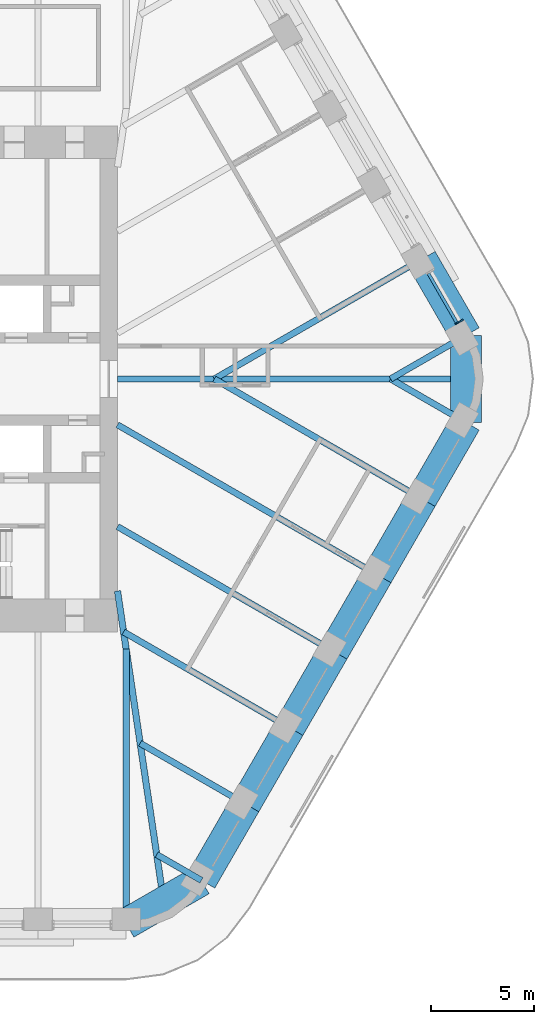
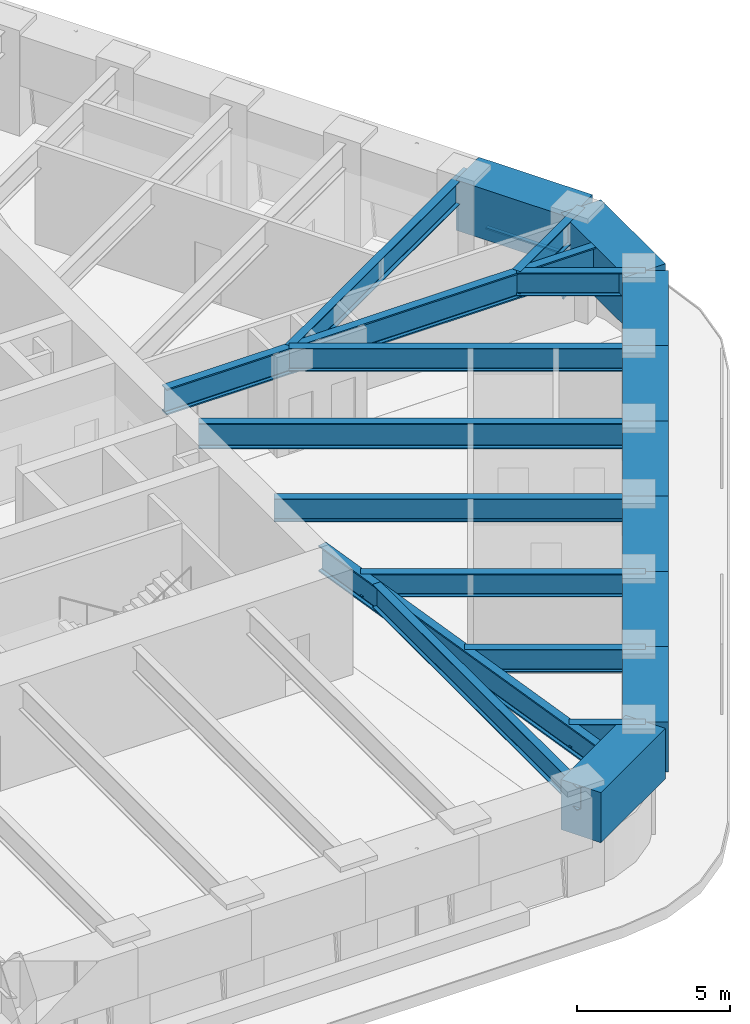
# One storey, part 5 of 18: 21 beams, 2 members, 1 element without a shape of its own.
"""IFC4 building model written with IfcOpenShell, lengths in metres."""

from ifc_helpers import new_model, si_unit, direction, frame, origin, origin_2d, place, context, subcontext, project, spatial, rectangle, i_section, extrude, material, material_profile, profile_set, type_object, element, aggregate, save


model = new_model("IFC4")

# Units and contexts
model_context = context("Model", 3, precision=1e-05, world=origin(), true_north=direction((0.0, 1.0)))
body_context = subcontext(model_context, "Body", "Model", "MODEL_VIEW")
ifc_project = project(units=[si_unit("LENGTHUNIT", "METRE"), si_unit("AREAUNIT", "SQUARE_METRE"), si_unit("VOLUMEUNIT", "CUBIC_METRE"), si_unit("PLANEANGLEUNIT", "RADIAN"), si_unit("MASSUNIT", "GRAM", prefix="KILO")], contexts=[model_context])

# Site, building, storey
site_placement = place(None, origin())
site = spatial("IfcSite", under=ifc_project, at=site_placement, CompositionType="ELEMENT")
building_placement = place(site_placement, origin())
building = spatial("IfcBuilding", under=site, at=building_placement, Name="Tarfa Lantern Tower", CompositionType="ELEMENT")
storey_placement = place(building_placement, frame((0.0, 0.0, 324.10009765625)))
storey = spatial("IfcBuildingStorey", under=building, at=storey_placement, Name="L73", CompositionType="ELEMENT", Elevation=324.10009765625)

# Curtain wall, members
ifc_material_1 = material(Name="Aluminium framed curtain wall", Category="aluminium")
curtain_wall_type = type_object("IfcCurtainWallType", Name="CW4 CANTED GLAZING EXECUTIVE ZONE 2000", PredefinedType="USERDEFINED", material=ifc_material_1)
curtain_wall_placement = place(storey_placement, origin())
curtain_wall = element("IfcCurtainWall", 1, at=curtain_wall_placement, inside=storey, type_object=curtain_wall_type, Name="CW4 NE L73", ObjectType="CURTAIN WALL", PredefinedType="USERDEFINED")
ifc_material_2 = material(Name="Aluminium mullion", Category="aluminium")
ifc_material_profile_1 = material_profile(ifc_material_2, rectangle(XDim=0.06494140625, YDim=0.199951171875, at=origin_2d()), Name="AL MULLION 65x200")
ifc_profile_set_1 = profile_set([ifc_material_profile_1], Name="Aluminium mullion")
member_type_1 = type_object("IfcMemberType", Name="CWM1 MULLION 65x200", PredefinedType="MULLION", material=ifc_profile_set_1)
member_1_placement = place(storey_placement, frame((29.13623046875, 2.83447265625, 0.0), z_axis=(-0.107320246625, -0.062018020623, 0.992288329964), x_axis=(0.500342721131, -0.865827443207, 0.0)))
member_1 = element("IfcMember", 2, at=member_1_placement, type_object=member_type_1, Name="CW4 mullion 1", PredefinedType="MULLION", context=body_context, shape_type="SweptSolid", body=[
    extrude(rectangle(XDim=0.06494140625, YDim=0.199951171875, at=origin_2d()), origin(), (0.0, 0.0, 1.0), 2.015625),
])
ifc_material_3 = material(Name="Aluminium transom", Category="aluminium")
ifc_material_profile_2 = material_profile(ifc_material_3, rectangle(XDim=0.14990234375, YDim=0.06494140625, at=origin_2d()), Name="AL TRANSOM 150x65")
ifc_profile_set_2 = profile_set([ifc_material_profile_2], Name="Aluminium transom")
member_type_2 = type_object("IfcMemberType", Name="CWT1 TRANSOM 150x65", PredefinedType="USERDEFINED", material=ifc_profile_set_2)
member_2_placement = place(storey_placement, frame((28.9072265625, 2.739501953125, 1.96728515625), z_axis=(-0.500060322201, 0.865990573944, 0.0), x_axis=(-0.865990573944, -0.500060322201, 0.0)))
member_2 = element("IfcMember", 3, at=member_2_placement, type_object=member_type_2, Name="CW4 transom 1.2", ObjectType="TRANSOM", PredefinedType="USERDEFINED", context=body_context, shape_type="SweptSolid", body=[
    extrude(rectangle(XDim=0.14990234375, YDim=0.06494140625, at=origin_2d()), origin(), (0.0, 0.0, 1.0), 2.752197265625),
])
aggregate(curtain_wall, [member_1, member_2])

# Beams
ifc_material_4 = material(Name="Concrete C80/95", Category="concrete")
ifc_material_profile_3 = material_profile(ifc_material_4, rectangle(XDim=1.5, YDim=2.0, at=origin_2d()), Name="RC 1500x2000")
ifc_profile_set_3 = profile_set([ifc_material_profile_3], Name="Concrete C80/95")
beam_type_1 = type_object("IfcBeamType", Name="RB3 RC 1500x2000", PredefinedType="BEAM", material=ifc_profile_set_3)
beam_1_placement = place(storey_placement, frame((29.3466796875, 2.110107421875, 3.0), z_axis=(-0.499984039138, 0.866034618596, 0.0), x_axis=(-0.866034618596, -0.499984039138, 0.0)))
element("IfcBeam", 4, at=beam_1_placement, inside=storey, type_object=beam_type_1, Name="Edge beam NE0", PredefinedType="BEAM", context=body_context, shape_type="SweptSolid", body=[
    extrude(rectangle(XDim=1.5, YDim=2.0, at=origin_2d()), origin(), (0.0, 0.0, 1.0), 4.281982421875),
])
beam_2_placement = place(storey_placement, frame((12.845947265625, -26.469970703125, 3.0), z_axis=(0.866048788483, 0.499959494327, 0.0), x_axis=(-0.499959494327, 0.866048788483, 0.0)))
element("IfcBeam", 5, at=beam_2_placement, inside=storey, type_object=beam_type_1, Name="Edge beam S6", PredefinedType="BEAM", context=body_context, shape_type="SweptSolid", body=[
    extrude(rectangle(XDim=1.5, YDim=2.0, at=origin_2d()), origin(), (0.0, 0.0, 1.0), 4.219970703125),
])
for number, where, z_axis, x_axis, name in (
    (6, (16.500732421875, -24.360107421875, 3.0), (0.499959351497, 0.866048870937, 0.0), (-0.866048870937, 0.499959351497, 0.0), "Edge beam SE0"),
    (7, (18.6416015625, -20.651611328125, 3.0), (0.500026801138, 0.866009929587, 0.0), (-0.866009929587, 0.500026801138, 0.0), "Edge beam SE1"),
    (8, (20.78271484375, -16.943359375, 3.0), (0.499984039138, 0.866034618596, 0.0), (-0.866034618596, 0.499984039138, 0.0), "Edge beam SE2"),
):
    element("IfcBeam", number, at=place(storey_placement, frame(where, z_axis=z_axis, x_axis=x_axis)), inside=storey, type_object=beam_type_1, Name=name, PredefinedType="BEAM", context=body_context, shape_type="SweptSolid", body=[
        extrude(rectangle(XDim=1.5, YDim=2.0, at=origin_2d()), origin(), (0.0, 0.0, 1.0), 4.281982421875),
    ])
beam_3_placement = place(storey_placement, frame((22.923583984375, -13.235107421875, 3.0), z_axis=(0.500002112793, 0.866024183959, 0.0), x_axis=(-0.866024183959, 0.500002112793, 0.0)))
element("IfcBeam", 9, at=beam_3_placement, inside=storey, type_object=beam_type_1, Name="Edge beam SE3", PredefinedType="BEAM", context=body_context, shape_type="SweptSolid", body=[
    extrude(rectangle(XDim=1.5, YDim=2.0, at=origin_2d()), origin(), (0.0, 0.0, 1.0), 4.2822265625),
])
for number, where, z_axis, x_axis, name in (
    (10, (25.064697265625, -9.526611328125, 3.0), (0.500026801138, 0.866009929587, 0.0), (-0.866009929587, 0.500026801138, 0.0), "Edge beam SE4"),
    (11, (27.205810546875, -5.818359375, 3.0), (0.499984039138, 0.866034618596, 0.0), (-0.866034618596, 0.499984039138, 0.0), "Edge beam SE5"),
):
    element("IfcBeam", number, at=place(storey_placement, frame(where, z_axis=z_axis, x_axis=x_axis)), inside=storey, type_object=beam_type_1, Name=name, PredefinedType="BEAM", context=body_context, shape_type="SweptSolid", body=[
        extrude(rectangle(XDim=1.5, YDim=2.0, at=origin_2d()), origin(), (0.0, 0.0, 1.0), 4.281982421875),
    ])
beam_4_placement = place(storey_placement, frame((29.3466796875, -2.110107421875, 3.0), z_axis=(0.0, 1.0, 0.0), x_axis=(-1.0, 0.0, 0.0)))
element("IfcBeam", 12, at=beam_4_placement, inside=storey, type_object=beam_type_1, Name="Edge beam SE6", PredefinedType="BEAM", context=body_context, shape_type="SweptSolid", body=[
    extrude(rectangle(XDim=1.5, YDim=2.0, at=origin_2d()), origin(), (0.0, 0.0, 1.0), 4.22021484375),
])
ifc_material_5 = material(Name="Steel S460M", Category="steel")
ifc_material_profile_4 = material_profile(ifc_material_5, i_section(OverallWidth=0.302001953125, OverallDepth=1.008056640625, WebThickness=0.02099609375, FlangeThickness=0.0400390625, FilletRadius=0.030029296875, at=origin_2d()), Name="UB1016x305x349")
ifc_profile_set_4 = profile_set([ifc_material_profile_4], Name="Steel S460M")
beam_type_2 = type_object("IfcBeamType", Name="UB1016x305x349", PredefinedType="BEAM", material=ifc_profile_set_4)
beam_5_placement = place(storey_placement, frame((25.064697265625, -9.526611328125, 3.495849609375), z_axis=(-0.866029591389, 0.499992746786, 0.0), x_axis=(-0.499992746786, -0.866029591389, 0.0)))
element("IfcBeam", 13, at=beam_5_placement, inside=storey, type_object=beam_type_2, Name="Floor beam SE4", PredefinedType="BEAM", context=body_context, shape_type="SweptSolid", body=[
    extrude(i_section(OverallWidth=0.302001953125, OverallDepth=1.008056640625, WebThickness=0.02099609375, FlangeThickness=0.0400390625, FilletRadius=0.030029296875, at=origin_2d()), origin(), (0.0, 0.0, 1.0), 14.594970703125),
])
ifc_material_profile_5 = material_profile(ifc_material_5, i_section(OverallWidth=0.30859375, OverallDepth=1.036376953125, WebThickness=0.030029296875, FlangeThickness=0.05419921875, FilletRadius=0.030029296875, at=origin_2d()), Name="UB1016x305x487")
ifc_profile_set_5 = profile_set([ifc_material_profile_5], Name="Steel S460M")
beam_type_3 = type_object("IfcBeamType", Name="UB1016x305x487", PredefinedType="BEAM", material=ifc_profile_set_5)
beam_6_placement = place(storey_placement, frame((12.425048828125, 0.0, 3.481689453125), z_axis=(1.0, 0.0, 0.0), x_axis=(0.0, 1.0, 0.0)))
element("IfcBeam", 14, at=beam_6_placement, inside=storey, type_object=beam_type_3, Name="Hip girder E", PredefinedType="BEAM", context=body_context, shape_type="SweptSolid", body=[
    extrude(i_section(OverallWidth=0.30859375, OverallDepth=1.036376953125, WebThickness=0.030029296875, FlangeThickness=0.05419921875, FilletRadius=0.030029296875, at=origin_2d()), origin(), (0.0, 0.0, 1.0), 16.921630859375),
])
beam_7_placement = place(storey_placement, frame((12.425048828125, -10.300048828125, 3.481689453125), z_axis=(0.147127069073, -0.989117599452, 0.0), x_axis=(0.989117599452, 0.147127069073, 0.0)))
element("IfcBeam", 15, at=beam_7_placement, inside=storey, type_object=beam_type_3, Name="Hip girder SE", PredefinedType="BEAM", context=body_context, shape_type="SweptSolid", body=[
    extrude(i_section(OverallWidth=0.30859375, OverallDepth=1.036376953125, WebThickness=0.030029296875, FlangeThickness=0.05419921875, FilletRadius=0.030029296875, at=origin_2d()), origin(), (0.0, 0.0, 1.0), 15.28125),
])
ifc_material_profile_6 = material_profile(ifc_material_5, i_section(OverallWidth=0.305419921875, OverallDepth=0.91845703125, WebThickness=0.017333984375, FlangeThickness=0.02783203125, FilletRadius=0.01904296875, at=origin_2d()), Name="UB914x305x253")
ifc_profile_set_6 = profile_set([ifc_material_profile_6], Name="Steel S460M")
beam_type_4 = type_object("IfcBeamType", Name="UB914x305x253", PredefinedType="BEAM", material=ifc_profile_set_6)
beam_8_placement = place(storey_placement, frame((29.3466796875, 2.110107421875, 3.540771484375), z_axis=(-0.866009274789, -0.500027935199, 0.0), x_axis=(0.500027935199, -0.866009274789, 0.0)))
element("IfcBeam", 16, at=beam_8_placement, inside=storey, type_object=beam_type_4, Name="Floor beam NE0", PredefinedType="BEAM", context=body_context, shape_type="SweptSolid", body=[
    extrude(i_section(OverallWidth=0.305419921875, OverallDepth=0.91845703125, WebThickness=0.017333984375, FlangeThickness=0.02783203125, FilletRadius=0.01904296875, at=origin_2d()), origin(), (0.0, 0.0, 1.0), 4.219970703125),
])
beam_9_placement = place(storey_placement, frame((27.205810546875, 5.818359375, 3.540771484375), z_axis=(-0.866024171998, -0.500002133511, 0.0), x_axis=(0.500002133511, -0.866024171998, 0.0)))
element("IfcBeam", 17, at=beam_9_placement, inside=storey, type_object=beam_type_4, Name="Floor beam NE1", PredefinedType="BEAM", context=body_context, shape_type="SweptSolid", body=[
    extrude(i_section(OverallWidth=0.305419921875, OverallDepth=0.91845703125, WebThickness=0.017333984375, FlangeThickness=0.02783203125, FilletRadius=0.01904296875, at=origin_2d()), origin(), (0.0, 0.0, 1.0), 11.63671875),
])
beam_10_placement = place(storey_placement, frame((12.845947265625, -26.469970703125, 3.540771484375), z_axis=(0.0, 1.0, 0.0), x_axis=(-1.0, 0.0, 0.0)))
element("IfcBeam", 18, at=beam_10_placement, inside=storey, type_object=beam_type_4, Name="Floor beam S6", PredefinedType="BEAM", context=body_context, shape_type="SweptSolid", body=[
    extrude(i_section(OverallWidth=0.305419921875, OverallDepth=0.91845703125, WebThickness=0.017333984375, FlangeThickness=0.02783203125, FilletRadius=0.01904296875, at=origin_2d()), origin(), (0.0, 0.0, 1.0), 13.33935546875),
])
beam_11_placement = place(storey_placement, frame((16.500732421875, -24.360107421875, 3.540771484375), z_axis=(-0.865992557167, 0.500056887695, 0.0), x_axis=(-0.500056887695, -0.865992557167, 0.0)))
element("IfcBeam", 19, at=beam_11_placement, inside=storey, type_object=beam_type_4, Name="Floor beam SE0", PredefinedType="BEAM", context=body_context, shape_type="SweptSolid", body=[
    extrude(i_section(OverallWidth=0.305419921875, OverallDepth=0.91845703125, WebThickness=0.017333984375, FlangeThickness=0.02783203125, FilletRadius=0.01904296875, at=origin_2d()), origin(), (0.0, 0.0, 1.0), 2.506591796875),
])
beam_12_placement = place(storey_placement, frame((18.6416015625, -20.651611328125, 3.540771484375), z_axis=(-0.866024549157, 0.500001480256, 0.0), x_axis=(-0.500001480256, -0.866024549157, 0.0)))
element("IfcBeam", 20, at=beam_12_placement, inside=storey, type_object=beam_type_4, Name="Floor beam SE1", PredefinedType="BEAM", context=body_context, shape_type="SweptSolid", body=[
    extrude(i_section(OverallWidth=0.305419921875, OverallDepth=0.91845703125, WebThickness=0.017333984375, FlangeThickness=0.02783203125, FilletRadius=0.01904296875, at=origin_2d()), origin(), (0.0, 0.0, 1.0), 5.90771484375),
])
beam_13_placement = place(storey_placement, frame((20.78271484375, -16.943359375, 3.540771484375), z_axis=(-0.866021806508, 0.500006230613, 0.0), x_axis=(-0.500006230613, -0.866021806508, 0.0)))
element("IfcBeam", 21, at=beam_13_placement, inside=storey, type_object=beam_type_4, Name="Floor beam SE2", PredefinedType="BEAM", context=body_context, shape_type="SweptSolid", body=[
    extrude(i_section(OverallWidth=0.305419921875, OverallDepth=0.91845703125, WebThickness=0.017333984375, FlangeThickness=0.02783203125, FilletRadius=0.01904296875, at=origin_2d()), origin(), (0.0, 0.0, 1.0), 9.30908203125),
])
beam_14_placement = place(storey_placement, frame((22.923583984375, -13.235107421875, 3.540771484375), z_axis=(-0.86601856927, 0.500011837539, 0.0), x_axis=(-0.500011837539, -0.86601856927, 0.0)))
element("IfcBeam", 22, at=beam_14_placement, inside=storey, type_object=beam_type_4, Name="Floor beam SE3", PredefinedType="BEAM", context=body_context, shape_type="SweptSolid", body=[
    extrude(i_section(OverallWidth=0.305419921875, OverallDepth=0.91845703125, WebThickness=0.017333984375, FlangeThickness=0.02783203125, FilletRadius=0.01904296875, at=origin_2d()), origin(), (0.0, 0.0, 1.0), 12.122802734375),
])
beam_15_placement = place(storey_placement, frame((27.205810546875, -5.818359375, 3.540771484375), z_axis=(-0.866024171998, 0.500002133511, 0.0), x_axis=(-0.500002133511, -0.866024171998, 0.0)))
element("IfcBeam", 23, at=beam_15_placement, inside=storey, type_object=beam_type_4, Name="Floor beam SE5", PredefinedType="BEAM", context=body_context, shape_type="SweptSolid", body=[
    extrude(i_section(OverallWidth=0.305419921875, OverallDepth=0.91845703125, WebThickness=0.017333984375, FlangeThickness=0.02783203125, FilletRadius=0.01904296875, at=origin_2d()), origin(), (0.0, 0.0, 1.0), 11.63671875),
])
beam_16_placement = place(storey_placement, frame((29.3466796875, -2.110107421875, 3.540771484375), z_axis=(-0.866009274789, 0.500027935199, 0.0), x_axis=(-0.500027935199, -0.866009274789, 0.0)))
element("IfcBeam", 24, at=beam_16_placement, inside=storey, type_object=beam_type_4, Name="Floor beam SE6", PredefinedType="BEAM", context=body_context, shape_type="SweptSolid", body=[
    extrude(i_section(OverallWidth=0.305419921875, OverallDepth=0.91845703125, WebThickness=0.017333984375, FlangeThickness=0.02783203125, FilletRadius=0.01904296875, at=origin_2d()), origin(), (0.0, 0.0, 1.0), 4.219970703125),
])

save(model, "model.ifc")
